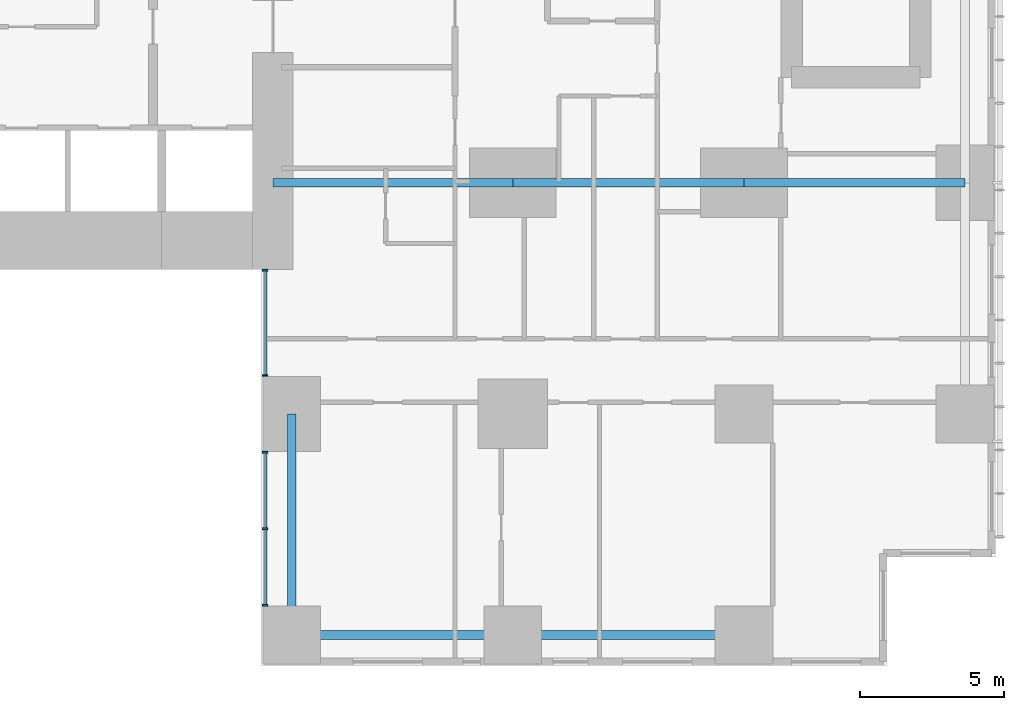
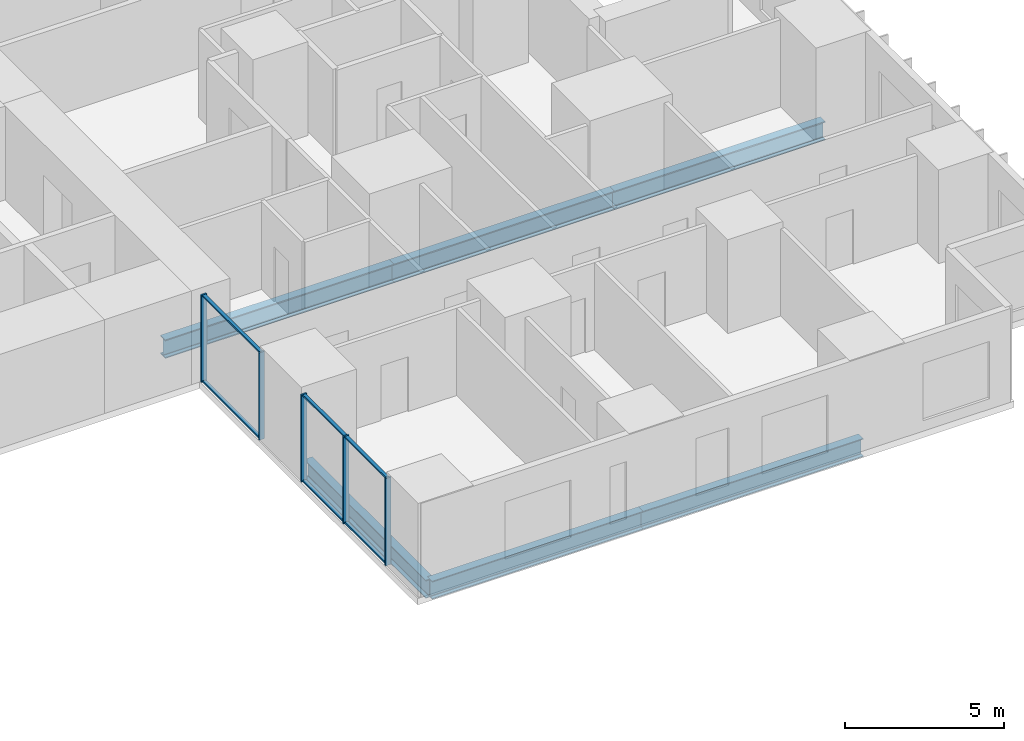
# One storey, part 3 of 20: 11 members, 6 beams, 2 elements without a shape of their own.
"""IFC4 building model written with IfcOpenShell, lengths in metres."""

from ifc_helpers import new_model, si_unit, direction, frame, origin, origin_2d, place, context, subcontext, project, spatial, rectangle, i_section, extrude, material, layer, layer_set, material_profile, profile_set, type_object, element, aggregate, save


model = new_model("IFC4")

# Units and contexts
model_context = context("Model", 3, precision=1e-05, world=origin(), true_north=direction((0.0, 1.0)))
body_context = subcontext(model_context, "Body", "Model", "MODEL_VIEW")
ifc_project = project(units=[si_unit("LENGTHUNIT", "METRE"), si_unit("AREAUNIT", "SQUARE_METRE"), si_unit("VOLUMEUNIT", "CUBIC_METRE"), si_unit("PLANEANGLEUNIT", "RADIAN"), si_unit("MASSUNIT", "GRAM", prefix="KILO")], contexts=[model_context])

# Site, building, storey
site_placement = place(None, origin())
site = spatial("IfcSite", under=ifc_project, at=site_placement, CompositionType="ELEMENT")
building_placement = place(site_placement, origin())
building = spatial("IfcBuilding", under=site, at=building_placement, Name="Cleftline Residences", CompositionType="ELEMENT")
storey_placement = place(building_placement, frame((0.0, 0.0, 150.199951171875)))
storey = spatial("IfcBuildingStorey", under=building, at=storey_placement, Name="L39", CompositionType="ELEMENT", Elevation=150.199951171875)

# Beams
ifc_material_1 = material(Name="Steel S355", Category="steel")
ifc_material_profile_1 = material_profile(ifc_material_1, i_section(OverallWidth=0.300048828125, OverallDepth=0.699951171875, WebThickness=0.01708984375, FlangeThickness=0.031982421875, FilletRadius=0.027099609375, at=origin_2d()))
ifc_profile_set_1 = profile_set([ifc_material_profile_1], Name="Steel S355")
beam_type_1 = type_object("IfcBeamType", Name="BEAM HEB 700", PredefinedType="BEAM", material=ifc_profile_set_1)
beam_1_placement = place(storey_placement, frame((58.0, 0.35009765625, -0.599853515625), z_axis=(-1.0, 0.0, 0.0), x_axis=(0.0, -1.0, 0.0)))
element("IfcBeam", 1, at=beam_1_placement, inside=storey, type_object=beam_type_1, Name="Edge beam", PredefinedType="BEAM", context=body_context, shape_type="SweptSolid", body=[
    extrude(i_section(OverallWidth=0.300048828125, OverallDepth=0.699951171875, WebThickness=0.01708984375, FlangeThickness=0.031982421875, FilletRadius=0.027099609375, at=origin_2d()), origin(), (0.0, 0.0, 1.0), 8.0),
])
for number, where, z_axis, x_axis, name in (
    (2, (50.0, 0.35009765625, -0.599853515625), (-1.0, 0.0, 0.0), (0.0, -1.0, 0.0), "Edge beam"),
    (3, (42.35009765625, 0.35009765625, -0.599853515625), (0.0, 1.0, 0.0), (-1.0, 0.0, 0.0), "Edge beam"),
):
    element("IfcBeam", number, at=place(storey_placement, frame(where, z_axis=z_axis, x_axis=x_axis)), inside=storey, type_object=beam_type_1, Name=name, PredefinedType="BEAM", context=body_context, shape_type="SweptSolid", body=[
        extrude(i_section(OverallWidth=0.300048828125, OverallDepth=0.699951171875, WebThickness=0.01708984375, FlangeThickness=0.031982421875, FilletRadius=0.027099609375, at=origin_2d()), origin(), (0.0, 0.0, 1.0), 7.64990234375),
    ])
ifc_material_2 = material(Name="Steel S355", Category="steel")
ifc_material_profile_2 = material_profile(ifc_material_2, i_section(OverallWidth=0.303955078125, OverallDepth=0.716064453125, WebThickness=0.02099609375, FlangeThickness=0.0400390625, FilletRadius=0.027099609375, at=origin_2d()))
ifc_profile_set_2 = profile_set([ifc_material_profile_2], Name="Steel S355")
beam_type_2 = type_object("IfcBeamType", Name="BEAM HEM 700", PredefinedType="BEAM", material=ifc_profile_set_2)
beam_2_placement = place(storey_placement, frame((65.64990234375, 16.0, -0.60791015625), z_axis=(-1.0, 0.0, 0.0), x_axis=(0.0, -1.0, 0.0)))
element("IfcBeam", 4, at=beam_2_placement, inside=storey, type_object=beam_type_2, Name="Band beam", PredefinedType="BEAM", context=body_context, shape_type="SweptSolid", body=[
    extrude(i_section(OverallWidth=0.303955078125, OverallDepth=0.716064453125, WebThickness=0.02099609375, FlangeThickness=0.0400390625, FilletRadius=0.027099609375, at=origin_2d()), origin(), (0.0, 0.0, 1.0), 7.64990234375),
])
beam_3_placement = place(storey_placement, frame((58.0, 16.0, -0.60791015625), z_axis=(-1.0, 0.0, 0.0), x_axis=(0.0, -1.0, 0.0)))
element("IfcBeam", 5, at=beam_3_placement, inside=storey, type_object=beam_type_2, Name="Band beam", PredefinedType="BEAM", context=body_context, shape_type="SweptSolid", body=[
    extrude(i_section(OverallWidth=0.303955078125, OverallDepth=0.716064453125, WebThickness=0.02099609375, FlangeThickness=0.0400390625, FilletRadius=0.027099609375, at=origin_2d()), origin(), (0.0, 0.0, 1.0), 8.0),
])
beam_4_placement = place(storey_placement, frame((50.0, 16.0, -0.60791015625), z_axis=(-1.0, 0.0, 0.0), x_axis=(0.0, -1.0, 0.0)))
element("IfcBeam", 6, at=beam_4_placement, inside=storey, type_object=beam_type_2, Name="Band beam", PredefinedType="BEAM", context=body_context, shape_type="SweptSolid", body=[
    extrude(i_section(OverallWidth=0.303955078125, OverallDepth=0.716064453125, WebThickness=0.02099609375, FlangeThickness=0.0400390625, FilletRadius=0.027099609375, at=origin_2d()), origin(), (0.0, 0.0, 1.0), 8.300048828125),
])

# Curtain wall, members
ifc_material_3 = material(Name="Aluminium framed curtain wall", Category="aluminium")
ifc_layer = layer(ifc_material_3, 0.199951171875)
ifc_layer_set = layer_set([ifc_layer], Name="CW1 CLEFT GLAZING")
curtain_wall_type = type_object("IfcCurtainWallType", Name="CW1 CLEFT GLAZING", PredefinedType="NOTDEFINED", material=ifc_layer_set)
curtain_wall_1_placement = place(storey_placement, origin())
curtain_wall_1 = element("IfcCurtainWall", 7, at=curtain_wall_1_placement, inside=storey, type_object=curtain_wall_type, Name="Curtain wall CW1", PredefinedType="NOTDEFINED")
ifc_material_4 = material(Name="Aluminium mullion", Category="aluminium")
ifc_material_profile_3 = material_profile(ifc_material_4, rectangle(XDim=0.199951171875, YDim=0.06005859375, at=origin_2d()))
ifc_profile_set_3 = profile_set([ifc_material_profile_3], Name="Aluminium mullion")
member_type_1 = type_object("IfcMemberType", Name="CW1 MULLION", PredefinedType="MULLION", material=ifc_profile_set_3)
member_1_placement = place(storey_placement, frame((41.425048828125, 12.969970703125, 0.0), z_axis=(0.0, 0.0, 1.0), x_axis=(1.0, 0.0, 0.0)))
member_1 = element("IfcMember", 8, at=member_1_placement, type_object=member_type_1, Name="CW1 mullion 1", PredefinedType="MULLION", context=body_context, shape_type="SweptSolid", body=[
    extrude(rectangle(XDim=0.199951171875, YDim=0.06005859375, at=origin_2d()), origin(), (0.0, 0.0, 1.0), 3.35009765625),
])
member_2_placement = place(storey_placement, frame((41.425048828125, 9.330078125, 0.0), z_axis=(0.0, 0.0, 1.0), x_axis=(1.0, 0.0, 0.0)))
member_2 = element("IfcMember", 9, at=member_2_placement, type_object=member_type_1, Name="CW1 mullion 2", PredefinedType="MULLION", context=body_context, shape_type="SweptSolid", body=[
    extrude(rectangle(XDim=0.199951171875, YDim=0.06005859375, at=origin_2d()), origin(), (0.0, 0.0, 1.0), 3.35009765625),
])

curtain_wall_2_placement = place(storey_placement, origin())
curtain_wall_2 = element("IfcCurtainWall", 10, at=curtain_wall_2_placement, inside=storey, type_object=curtain_wall_type, Name="Curtain wall CW1", PredefinedType="NOTDEFINED")
member_3_placement = place(storey_placement, frame((41.425048828125, 6.669921875, 0.0), z_axis=(0.0, 0.0, 1.0), x_axis=(1.0, 0.0, 0.0)))
member_3 = element("IfcMember", 11, at=member_3_placement, type_object=member_type_1, Name="CW1 mullion 1", PredefinedType="MULLION", context=body_context, shape_type="SweptSolid", body=[
    extrude(rectangle(XDim=0.199951171875, YDim=0.06005859375, at=origin_2d()), origin(), (0.0, 0.0, 1.0), 3.35009765625),
])
member_4_placement = place(storey_placement, frame((41.425048828125, 4.02490234375, 0.0), z_axis=(0.0, 0.0, 1.0), x_axis=(1.0, 0.0, 0.0)))
member_4 = element("IfcMember", 12, at=member_4_placement, type_object=member_type_1, Name="CW1 mullion 2", PredefinedType="MULLION", context=body_context, shape_type="SweptSolid", body=[
    extrude(rectangle(XDim=0.199951171875, YDim=0.06005859375, at=origin_2d()), origin(), (0.0, 0.0, 1.0), 3.35009765625),
])
member_5_placement = place(storey_placement, frame((41.425048828125, 1.3798828125, 0.0), z_axis=(0.0, 0.0, 1.0), x_axis=(1.0, 0.0, 0.0)))
member_5 = element("IfcMember", 13, at=member_5_placement, type_object=member_type_1, Name="CW1 mullion 3", PredefinedType="MULLION", context=body_context, shape_type="SweptSolid", body=[
    extrude(rectangle(XDim=0.199951171875, YDim=0.06005859375, at=origin_2d()), origin(), (0.0, 0.0, 1.0), 3.35009765625),
])

# Member
ifc_material_5 = material(Name="Aluminium transom", Category="aluminium")
ifc_material_profile_4 = material_profile(ifc_material_5, rectangle(XDim=0.1201171875, YDim=0.06005859375, at=origin_2d()))
ifc_profile_set_4 = profile_set([ifc_material_profile_4], Name="Aluminium transom")
member_type_2 = type_object("IfcMemberType", Name="CW1 TRANSOM", PredefinedType="USERDEFINED", material=ifc_profile_set_4)
member_6_placement = place(storey_placement, frame((41.425048828125, 12.93994140625, 0.030029296875), z_axis=(0.0, -1.0, 0.0), x_axis=(1.0, 0.0, 0.0)))
member_6 = element("IfcMember", 14, at=member_6_placement, type_object=member_type_2, Name="CW1 transom 1.1", ObjectType="TRANSOM", PredefinedType="USERDEFINED", context=body_context, shape_type="SweptSolid", body=[
    extrude(rectangle(XDim=0.1201171875, YDim=0.06005859375, at=origin_2d()), origin(), (0.0, 0.0, 1.0), 3.579833984375),
])

member_7_placement = place(storey_placement, frame((41.425048828125, 12.93994140625, 3.320068359375), z_axis=(0.0, -1.0, 0.0), x_axis=(1.0, 0.0, 0.0)))
member_7 = element("IfcMember", 15, at=member_7_placement, type_object=member_type_2, Name="CW1 transom 1.2", ObjectType="TRANSOM", PredefinedType="USERDEFINED", context=body_context, shape_type="SweptSolid", body=[
    extrude(rectangle(XDim=0.1201171875, YDim=0.06005859375, at=origin_2d()), origin(), (0.0, 0.0, 1.0), 3.579833984375),
])

aggregate(curtain_wall_1, [member_1, member_2, member_6, member_7])

member_8_placement = place(storey_placement, frame((41.425048828125, 6.639892578125, 0.030029296875), z_axis=(0.0, -1.0, 0.0), x_axis=(1.0, 0.0, 0.0)))
member_8 = element("IfcMember", 16, at=member_8_placement, type_object=member_type_2, Name="CW1 transom 1.1", ObjectType="TRANSOM", PredefinedType="USERDEFINED", context=body_context, shape_type="SweptSolid", body=[
    extrude(rectangle(XDim=0.1201171875, YDim=0.06005859375, at=origin_2d()), origin(), (0.0, 0.0, 1.0), 2.5849609375),
])

member_9_placement = place(storey_placement, frame((41.425048828125, 6.639892578125, 3.320068359375), z_axis=(0.0, -1.0, 0.0), x_axis=(1.0, 0.0, 0.0)))
member_9 = element("IfcMember", 17, at=member_9_placement, type_object=member_type_2, Name="CW1 transom 1.2", ObjectType="TRANSOM", PredefinedType="USERDEFINED", context=body_context, shape_type="SweptSolid", body=[
    extrude(rectangle(XDim=0.1201171875, YDim=0.06005859375, at=origin_2d()), origin(), (0.0, 0.0, 1.0), 2.5849609375),
])

member_10_placement = place(storey_placement, frame((41.425048828125, 3.9951171875, 0.030029296875), z_axis=(0.0, -1.0, 0.0), x_axis=(1.0, 0.0, 0.0)))
member_10 = element("IfcMember", 18, at=member_10_placement, type_object=member_type_2, Name="CW1 transom 2.1", ObjectType="TRANSOM", PredefinedType="USERDEFINED", context=body_context, shape_type="SweptSolid", body=[
    extrude(rectangle(XDim=0.1201171875, YDim=0.06005859375, at=origin_2d()), origin(), (0.0, 0.0, 1.0), 2.585205078125),
])

member_11_placement = place(storey_placement, frame((41.425048828125, 3.9951171875, 3.320068359375), z_axis=(0.0, -1.0, 0.0), x_axis=(1.0, 0.0, 0.0)))
member_11 = element("IfcMember", 19, at=member_11_placement, type_object=member_type_2, Name="CW1 transom 2.2", ObjectType="TRANSOM", PredefinedType="USERDEFINED", context=body_context, shape_type="SweptSolid", body=[
    extrude(rectangle(XDim=0.1201171875, YDim=0.06005859375, at=origin_2d()), origin(), (0.0, 0.0, 1.0), 2.585205078125),
])

aggregate(curtain_wall_2, [member_3, member_4, member_5, member_8, member_9, member_10, member_11])

save(model, "model.ifc")
